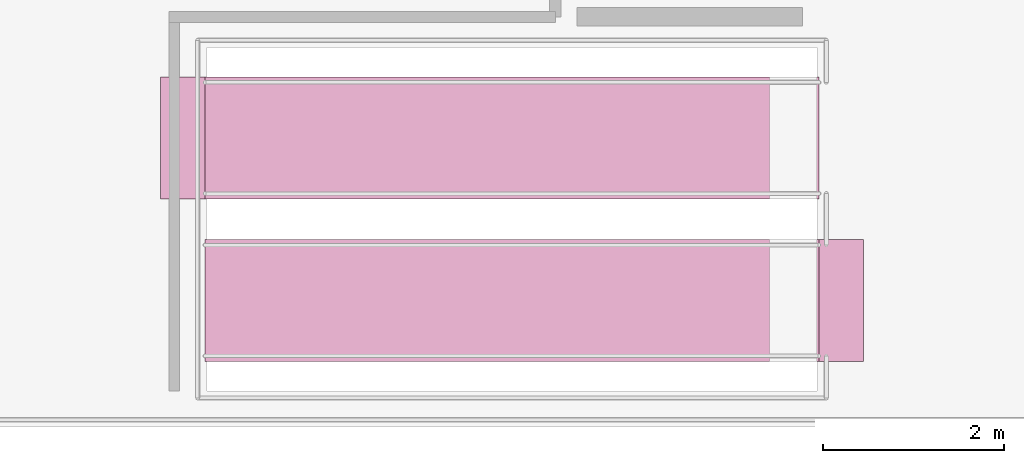
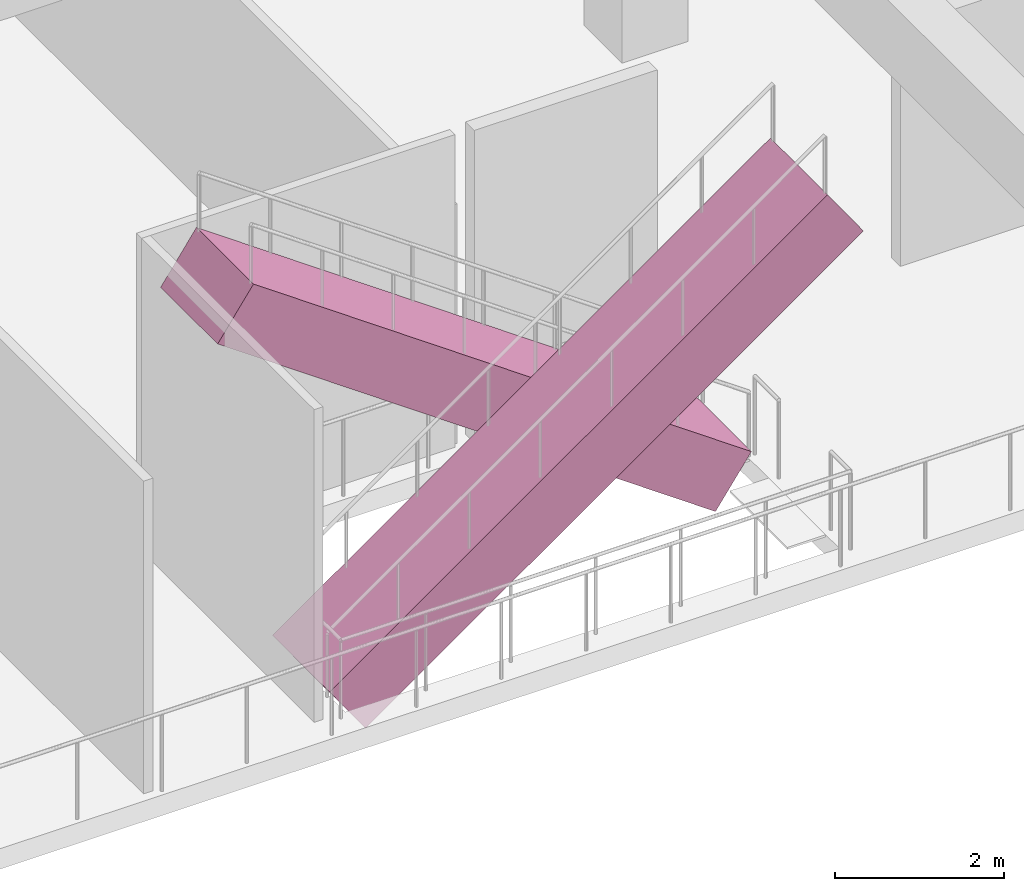
# One storey, part 96 of 96: 2 transport elements.
"""IFC4 building model written with IfcOpenShell, lengths in metres."""

from ifc_helpers import new_model, si_unit, direction, frame, origin, place, context, subcontext, project, spatial, polyline, outline, extrude, material, layer, layer_set, type_object, element, save


model = new_model("IFC4")

# Units and contexts
model_context = context("Model", 3, precision=1e-05, world=origin(), true_north=direction((0.0, 1.0)))
body_context = subcontext(model_context, "Body", "Model", "MODEL_VIEW")
ifc_project = project(units=[si_unit("LENGTHUNIT", "METRE"), si_unit("AREAUNIT", "SQUARE_METRE"), si_unit("VOLUMEUNIT", "CUBIC_METRE"), si_unit("PLANEANGLEUNIT", "RADIAN"), si_unit("MASSUNIT", "GRAM", prefix="KILO")], contexts=[model_context])

# Site, building, storey
site_placement = place(None, origin())
site = spatial("IfcSite", under=ifc_project, at=site_placement, CompositionType="ELEMENT")
building_placement = place(site_placement, origin())
building = spatial("IfcBuilding", under=site, at=building_placement, Name="Cendralis Terraced Arcade", CompositionType="ELEMENT")
storey_placement = place(building_placement, frame((0.0, 0.0, 10.199951171875)))
storey = spatial("IfcBuildingStorey", under=building, at=storey_placement, Name="L02", CompositionType="ELEMENT", Elevation=10.199951171875)

# Transport elements
ifc_material = material(Name="Brushed stainless steel and laminated glass escalator", Category="steel")
ifc_layer = layer(ifc_material, 0.949951171875, Name="ESC-ATR-1000")
ifc_layer_set = layer_set([ifc_layer], Name="Brushed stainless steel and laminated glass escalator")
transport_element_type = type_object("IfcTransportElementType", Name="ESC-ATR-1000", PredefinedType="ESCALATOR", material=ifc_layer_set)
transport_element_1_placement = place(storey_placement, frame((38.0, 39.125, 0.10009765625), z_axis=(-0.576684349177, 0.0, 0.816967050385), x_axis=(0.816967050385, 0.0, 0.576684349177)))
element("IfcTransportElement", 1, at=transport_element_1_placement, inside=storey, type_object=transport_element_type, Name="Atrium Retail Escalator ESC-05 (L02 to L03)", PredefinedType="ESCALATOR", context=body_context, shape_type="SweptSolid", body=[
    extrude(outline(polyline([(0.0, 0.0), (8.323528868050401, 0.0), (8.323528868050401, 1.35009765625), (0.0, 1.35009765625), (0.0, 0.0)])), origin(), (0.0, 0.0, -1.0), 0.85009765625),
])
transport_element_2_placement = place(storey_placement, frame((44.800048828125, 40.925048828125, 0.10009765625), z_axis=(0.576684349177, 0.0, 0.816967050385), x_axis=(-0.816967050385, 0.0, 0.576684349177)))
element("IfcTransportElement", 2, at=transport_element_2_placement, inside=storey, type_object=transport_element_type, Name="Atrium Retail Escalator ESC-06 (L02 to L03)", PredefinedType="ESCALATOR", context=body_context, shape_type="SweptSolid", body=[
    extrude(outline(polyline([(0.0, 0.0), (8.323528868050401, 0.0), (8.323528868050401, -1.3498535156250002), (0.0, -1.3498535156250002), (0.0, 0.0)])), origin(), (0.0, 0.0, -1.0), 0.85009765625),
])

save(model, "model.ifc")
